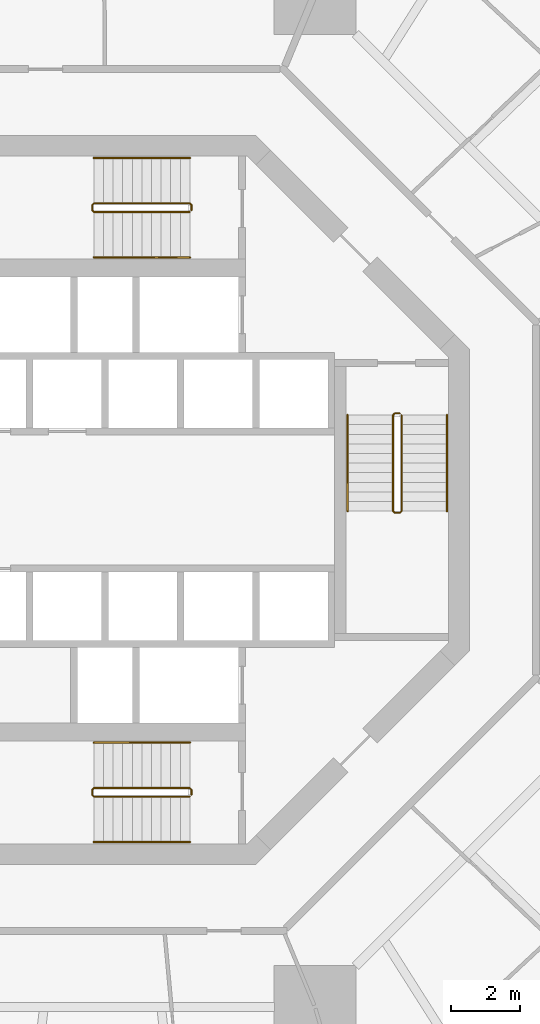
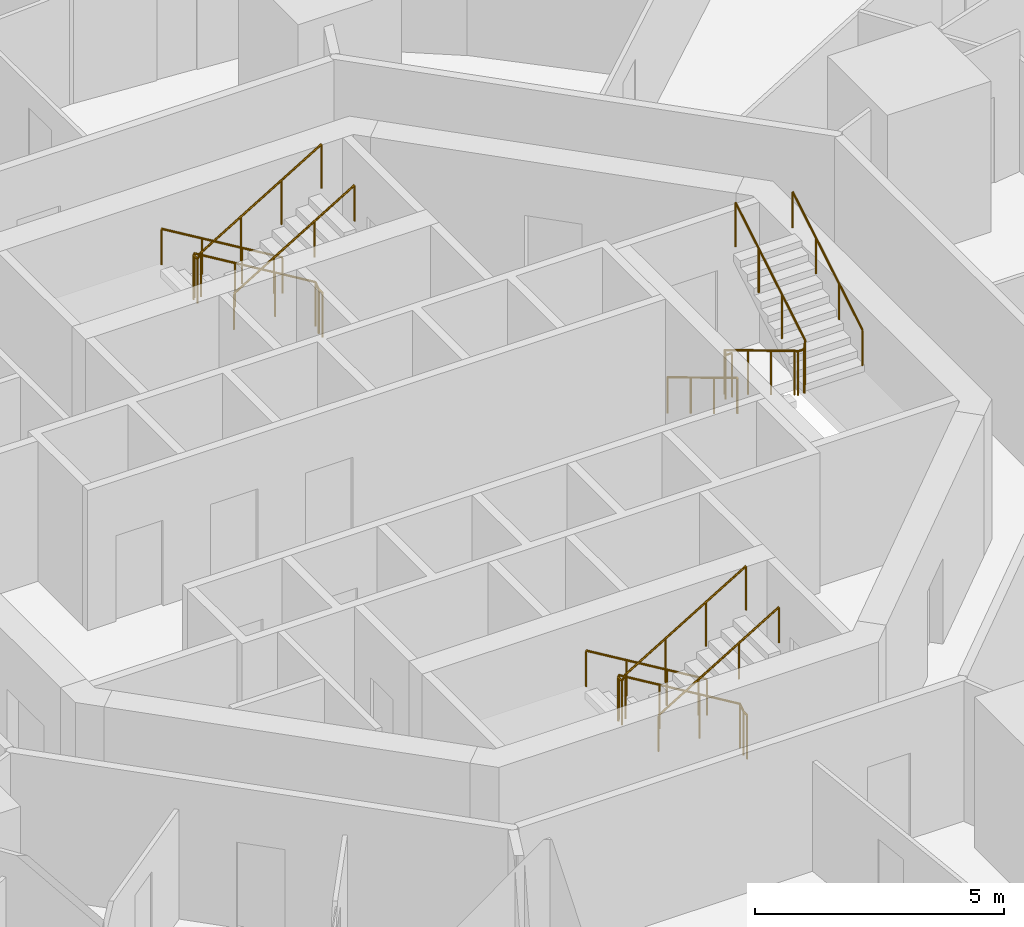
# One storey, part 42 of 42: 9 railings.
"""IFC4 building model written with IfcOpenShell, lengths in metres."""

from ifc_helpers import new_model, si_unit, direction, frame, origin, origin_2d, place, context, subcontext, project, spatial, circle, extrude, material, type_object, element, save


model = new_model("IFC4")

# Units and contexts
model_context = context("Model", 3, precision=1e-05, world=origin(), true_north=direction((0.0, 1.0)))
body_context = subcontext(model_context, "Body", "Model", "MODEL_VIEW")
ifc_project = project(units=[si_unit("LENGTHUNIT", "METRE"), si_unit("AREAUNIT", "SQUARE_METRE"), si_unit("VOLUMEUNIT", "CUBIC_METRE"), si_unit("PLANEANGLEUNIT", "RADIAN"), si_unit("MASSUNIT", "GRAM", prefix="KILO")], contexts=[model_context])

# Site, building, storey
site_placement = place(None, origin())
site = spatial("IfcSite", under=ifc_project, at=site_placement, CompositionType="ELEMENT")
building_placement = place(site_placement, origin())
building = spatial("IfcBuilding", under=site, at=building_placement, Name="Nagisa Residences", CompositionType="ELEMENT")
storey_placement = place(building_placement, frame((0.0, 0.0, 27.0)))
storey = spatial("IfcBuildingStorey", under=building, at=storey_placement, Name="L05", CompositionType="ELEMENT", Elevation=27.0)

# Railings
ifc_material_1 = material(Name="Stainless steel", Category="steel")
railing_type_1 = type_object("IfcRailingType", Name="Stair guard 1100", PredefinedType="GUARDRAIL", material=ifc_material_1)
railing_1_placement = place(storey_placement, frame((8.599609375, 2.52490234375, 0.0)))
element("IfcRailing", 1, at=railing_1_placement, inside=storey, type_object=railing_type_1, Name="L05 ST-E stair guard 1", PredefinedType="GUARDRAIL", context=body_context, shape_type="SweptSolid", body=[
    extrude(circle(Radius=0.02392578125, at=origin_2d()), frame((0.0, 0.0, 1.076171875), z_axis=(-1.0, 0.0, 0.0), x_axis=(0.0, -1.0, 0.0)), (0.0, 0.0, 1.0), 0.14990234375),
    extrude(circle(Radius=0.02392578125, at=origin_2d()), frame((-0.14990234375, 0.0, 1.076171875), z_axis=(-0.27434429532, -0.273006030465, 0.922064485248), x_axis=(0.705375805398, -0.708833529934, 0.0)), (0.0, 0.0, 1.0), 0.182373046875),
    extrude(circle(Radius=0.02392578125, at=origin_2d()), frame((-0.199951171875, -0.0498046875, 1.244140625), z_axis=(0.0, -0.857242210791, 0.514913383045), x_axis=(1.0, 0.0, 0.0)), (0.0, 0.0, 1.0), 3.266357421875),
    extrude(circle(Radius=0.02392578125, at=origin_2d()), frame((-0.199951171875, -2.849853515625, 2.92626953125), z_axis=(0.707106781187, -0.707106781187, 0.0), x_axis=(0.707106781187, 0.707106781187, 0.0)), (0.0, 0.0, 1.0), 0.07080078125),
    extrude(circle(Radius=0.02392578125, at=origin_2d()), frame((-0.14990234375, -2.89990234375, 2.92626953125), z_axis=(1.0, 0.0, 0.0), x_axis=(0.0, 1.0, 0.0)), (0.0, 0.0, 1.0), 0.14990234375),
    extrude(circle(Radius=0.02392578125, at=origin_2d()), frame((0.0, -2.89990234375, 2.92626953125), z_axis=(0.274582412415, 0.274582412415, 0.921525364591), x_axis=(-0.707106781187, 0.707106781187, 0.0)), (0.0, 0.0, 1.0), 0.182373046875),
    extrude(circle(Radius=0.02392578125, at=origin_2d()), frame((0.050048828125, -2.849853515625, 3.09423828125), z_axis=(0.0, 0.857242210791, 0.514913383045), x_axis=(-1.0, 0.0, 0.0)), (0.0, 0.0, 1.0), 3.266357421875),
    extrude(circle(Radius=0.02099609375, at=origin_2d()), origin(), (0.0, 0.0, 1.0), 1.052001953125),
    extrude(circle(Radius=0.02099609375, at=origin_2d()), frame((-0.14990234375, 0.0, 0.0)), (0.0, 0.0, 1.0), 1.052001953125),
    extrude(circle(Radius=0.02099609375, at=origin_2d()), frame((-0.199951171875, -0.0498046875, 0.168212890625)), (0.0, 0.0, 1.0), 1.052001953125),
    extrude(circle(Radius=0.02099609375, at=origin_2d()), frame((-0.199951171875, -0.983154296875, 0.728759765625)), (0.0, 0.0, 1.0), 1.052001953125),
    extrude(circle(Radius=0.02099609375, at=origin_2d()), frame((-0.199951171875, -1.91650390625, 1.28955078125)), (0.0, 0.0, 1.0), 1.052001953125),
    extrude(circle(Radius=0.02099609375, at=origin_2d()), frame((-0.199951171875, -2.849853515625, 1.85009765625)), (0.0, 0.0, 1.0), 1.052001953125),
    extrude(circle(Radius=0.02099609375, at=origin_2d()), frame((-0.14990234375, -2.89990234375, 1.85009765625)), (0.0, 0.0, 1.0), 1.052001953125),
    extrude(circle(Radius=0.02099609375, at=origin_2d()), frame((0.0, -2.89990234375, 1.85009765625)), (0.0, 0.0, 1.0), 1.052001953125),
    extrude(circle(Radius=0.02099609375, at=origin_2d()), frame((0.050048828125, -2.849853515625, 2.01806640625)), (0.0, 0.0, 1.0), 1.052001953125),
    extrude(circle(Radius=0.02099609375, at=origin_2d()), frame((0.050048828125, -1.91650390625, 2.57861328125)), (0.0, 0.0, 1.0), 1.052001953125),
    extrude(circle(Radius=0.02099609375, at=origin_2d()), frame((0.050048828125, -0.983154296875, 3.139404296875)), (0.0, 0.0, 1.0), 1.052001953125),
    extrude(circle(Radius=0.02099609375, at=origin_2d()), frame((0.050048828125, -0.0498046875, 3.699951171875)), (0.0, 0.0, 1.0), 1.052001953125),
])
railing_2_placement = place(storey_placement, frame((2.52490234375, 8.44970703125, 0.0)))
element("IfcRailing", 2, at=railing_2_placement, inside=storey, type_object=railing_type_1, Name="L05 ST-N stair guard 1", PredefinedType="GUARDRAIL", context=body_context, shape_type="SweptSolid", body=[
    extrude(circle(Radius=0.02392578125, at=origin_2d()), frame((0.0, 0.0, 1.076171875), z_axis=(0.0, 1.0, 0.0), x_axis=(-1.0, 0.0, 0.0)), (0.0, 0.0, 1.0), 0.14990234375),
    extrude(circle(Radius=0.02392578125, at=origin_2d()), frame((0.0, 0.14990234375, 1.076171875), z_axis=(-0.273006030465, 0.27434429532, 0.922064485248), x_axis=(-0.708833529934, -0.705375805398, 0.0)), (0.0, 0.0, 1.0), 0.182373046875),
    extrude(circle(Radius=0.02392578125, at=origin_2d()), frame((-0.0498046875, 0.199951171875, 1.244140625), z_axis=(-0.857242210791, 0.0, 0.514913383045), x_axis=(0.0, -1.0, 0.0)), (0.0, 0.0, 1.0), 3.266357421875),
    extrude(circle(Radius=0.02392578125, at=origin_2d()), frame((-2.849853515625, 0.199951171875, 2.92626953125), z_axis=(-0.707106781187, -0.707106781187, 0.0), x_axis=(0.707106781187, -0.707106781187, 0.0)), (0.0, 0.0, 1.0), 0.07080078125),
    extrude(circle(Radius=0.02392578125, at=origin_2d()), frame((-2.89990234375, 0.14990234375, 2.92626953125), z_axis=(0.0, -1.0, 0.0), x_axis=(1.0, 0.0, 0.0)), (0.0, 0.0, 1.0), 0.14990234375),
    extrude(circle(Radius=0.02392578125, at=origin_2d()), frame((-2.89990234375, 0.0, 2.92626953125), z_axis=(0.274582412415, -0.274582412415, 0.921525364591), x_axis=(0.707106781187, 0.707106781187, 0.0)), (0.0, 0.0, 1.0), 0.182373046875),
    extrude(circle(Radius=0.02392578125, at=origin_2d()), frame((-2.849853515625, -0.050048828125, 3.09423828125), z_axis=(0.857242210791, 0.0, 0.514913383045), x_axis=(0.0, 1.0, 0.0)), (0.0, 0.0, 1.0), 3.266357421875),
    extrude(circle(Radius=0.02099609375, at=origin_2d()), origin(), (0.0, 0.0, 1.0), 1.052001953125),
    extrude(circle(Radius=0.02099609375, at=origin_2d()), frame((0.0, 0.14990234375, 0.0)), (0.0, 0.0, 1.0), 1.052001953125),
    extrude(circle(Radius=0.02099609375, at=origin_2d()), frame((-0.0498046875, 0.199951171875, 0.168212890625)), (0.0, 0.0, 1.0), 1.052001953125),
    extrude(circle(Radius=0.02099609375, at=origin_2d()), frame((-0.983154296875, 0.199951171875, 0.728759765625)), (0.0, 0.0, 1.0), 1.052001953125),
    extrude(circle(Radius=0.02099609375, at=origin_2d()), frame((-1.91650390625, 0.199951171875, 1.28955078125)), (0.0, 0.0, 1.0), 1.052001953125),
    extrude(circle(Radius=0.02099609375, at=origin_2d()), frame((-2.849853515625, 0.199951171875, 1.85009765625)), (0.0, 0.0, 1.0), 1.052001953125),
    extrude(circle(Radius=0.02099609375, at=origin_2d()), frame((-2.89990234375, 0.14990234375, 1.85009765625)), (0.0, 0.0, 1.0), 1.052001953125),
    extrude(circle(Radius=0.02099609375, at=origin_2d()), frame((-2.89990234375, 0.0, 1.85009765625)), (0.0, 0.0, 1.0), 1.052001953125),
    extrude(circle(Radius=0.02099609375, at=origin_2d()), frame((-2.849853515625, -0.050048828125, 2.01806640625)), (0.0, 0.0, 1.0), 1.052001953125),
    extrude(circle(Radius=0.02099609375, at=origin_2d()), frame((-1.91650390625, -0.050048828125, 2.57861328125)), (0.0, 0.0, 1.0), 1.052001953125),
    extrude(circle(Radius=0.02099609375, at=origin_2d()), frame((-0.983154296875, -0.050048828125, 3.139404296875)), (0.0, 0.0, 1.0), 1.052001953125),
    extrude(circle(Radius=0.02099609375, at=origin_2d()), frame((-0.0498046875, -0.050048828125, 3.699951171875)), (0.0, 0.0, 1.0), 1.052001953125),
])
railing_3_placement = place(storey_placement, frame((2.52490234375, -8.599609375, 0.0)))
element("IfcRailing", 3, at=railing_3_placement, inside=storey, type_object=railing_type_1, Name="L05 ST-S stair guard 1", PredefinedType="GUARDRAIL", context=body_context, shape_type="SweptSolid", body=[
    extrude(circle(Radius=0.02392578125, at=origin_2d()), frame((0.0, 0.0, 1.076171875), z_axis=(0.0, 1.0, 0.0), x_axis=(-1.0, 0.0, 0.0)), (0.0, 0.0, 1.0), 0.14990234375),
    extrude(circle(Radius=0.02392578125, at=origin_2d()), frame((0.0, 0.14990234375, 1.076171875), z_axis=(-0.273006030465, 0.27434429532, 0.922064485248), x_axis=(-0.708833529934, -0.705375805398, 0.0)), (0.0, 0.0, 1.0), 0.182373046875),
    extrude(circle(Radius=0.02392578125, at=origin_2d()), frame((-0.0498046875, 0.199951171875, 1.244140625), z_axis=(-0.857242210791, 0.0, 0.514913383045), x_axis=(0.0, -1.0, 0.0)), (0.0, 0.0, 1.0), 3.266357421875),
    extrude(circle(Radius=0.02392578125, at=origin_2d()), frame((-2.849853515625, 0.199951171875, 2.92626953125), z_axis=(-0.707106781187, -0.707106781187, 0.0), x_axis=(0.707106781187, -0.707106781187, 0.0)), (0.0, 0.0, 1.0), 0.07080078125),
    extrude(circle(Radius=0.02392578125, at=origin_2d()), frame((-2.89990234375, 0.14990234375, 2.92626953125), z_axis=(0.0, -1.0, 0.0), x_axis=(1.0, 0.0, 0.0)), (0.0, 0.0, 1.0), 0.14990234375),
    extrude(circle(Radius=0.02392578125, at=origin_2d()), frame((-2.89990234375, 0.0, 2.92626953125), z_axis=(0.274582412415, -0.274582412415, 0.921525364591), x_axis=(0.707106781187, 0.707106781187, 0.0)), (0.0, 0.0, 1.0), 0.182373046875),
    extrude(circle(Radius=0.02392578125, at=origin_2d()), frame((-2.849853515625, -0.050048828125, 3.09423828125), z_axis=(0.857242210791, 0.0, 0.514913383045), x_axis=(0.0, 1.0, 0.0)), (0.0, 0.0, 1.0), 3.266357421875),
    extrude(circle(Radius=0.02099609375, at=origin_2d()), origin(), (0.0, 0.0, 1.0), 1.052001953125),
    extrude(circle(Radius=0.02099609375, at=origin_2d()), frame((0.0, 0.14990234375, 0.0)), (0.0, 0.0, 1.0), 1.052001953125),
    extrude(circle(Radius=0.02099609375, at=origin_2d()), frame((-0.0498046875, 0.199951171875, 0.168212890625)), (0.0, 0.0, 1.0), 1.052001953125),
    extrude(circle(Radius=0.02099609375, at=origin_2d()), frame((-0.983154296875, 0.199951171875, 0.728759765625)), (0.0, 0.0, 1.0), 1.052001953125),
    extrude(circle(Radius=0.02099609375, at=origin_2d()), frame((-1.91650390625, 0.199951171875, 1.28955078125)), (0.0, 0.0, 1.0), 1.052001953125),
    extrude(circle(Radius=0.02099609375, at=origin_2d()), frame((-2.849853515625, 0.199951171875, 1.85009765625)), (0.0, 0.0, 1.0), 1.052001953125),
    extrude(circle(Radius=0.02099609375, at=origin_2d()), frame((-2.89990234375, 0.14990234375, 1.85009765625)), (0.0, 0.0, 1.0), 1.052001953125),
    extrude(circle(Radius=0.02099609375, at=origin_2d()), frame((-2.89990234375, 0.0, 1.85009765625)), (0.0, 0.0, 1.0), 1.052001953125),
    extrude(circle(Radius=0.02099609375, at=origin_2d()), frame((-2.849853515625, -0.050048828125, 2.01806640625)), (0.0, 0.0, 1.0), 1.052001953125),
    extrude(circle(Radius=0.02099609375, at=origin_2d()), frame((-1.91650390625, -0.050048828125, 2.57861328125)), (0.0, 0.0, 1.0), 1.052001953125),
    extrude(circle(Radius=0.02099609375, at=origin_2d()), frame((-0.983154296875, -0.050048828125, 3.139404296875)), (0.0, 0.0, 1.0), 1.052001953125),
    extrude(circle(Radius=0.02099609375, at=origin_2d()), frame((-0.0498046875, -0.050048828125, 3.699951171875)), (0.0, 0.0, 1.0), 1.052001953125),
])
ifc_material_2 = material(Name="Stainless steel", Category="steel")
railing_type_2 = type_object("IfcRailingType", Name="Stair handrail 900", PredefinedType="HANDRAIL", material=ifc_material_2)
railing_4_placement = place(storey_placement, frame((7.07470703125, 2.47509765625, 0.168212890625)))
element("IfcRailing", 4, at=railing_4_placement, inside=storey, type_object=railing_type_2, Name="L05 ST-E stair handrail 1", PredefinedType="HANDRAIL", context=body_context, shape_type="SweptSolid", body=[
    extrude(circle(Radius=0.02392578125, at=origin_2d()), frame((0.0, 0.0, 0.8759765625), z_axis=(0.0, -0.857242210791, 0.514913383045), x_axis=(1.0, 0.0, 0.0)), (0.0, 0.0, 1.0), 3.266357421875),
    extrude(circle(Radius=0.02099609375, at=origin_2d()), origin(), (0.0, 0.0, 1.0), 0.851806640625),
    extrude(circle(Radius=0.02099609375, at=origin_2d()), frame((0.0, -0.933349609375, 0.560546875)), (0.0, 0.0, 1.0), 0.851806640625),
    extrude(circle(Radius=0.02099609375, at=origin_2d()), frame((0.0, -1.86669921875, 1.121337890625)), (0.0, 0.0, 1.0), 0.851806640625),
    extrude(circle(Radius=0.02099609375, at=origin_2d()), frame((0.0, -2.800048828125, 1.681884765625)), (0.0, 0.0, 1.0), 0.851806640625),
])
railing_5_placement = place(storey_placement, frame((9.974609375, -0.324951171875, 2.01806640625)))
element("IfcRailing", 5, at=railing_5_placement, inside=storey, type_object=railing_type_2, Name="L05 ST-E stair handrail 2", PredefinedType="HANDRAIL", context=body_context, shape_type="SweptSolid", body=[
    extrude(circle(Radius=0.02392578125, at=origin_2d()), frame((0.0, 0.0, 0.8759765625), z_axis=(0.0, 0.857242210791, 0.514913383045), x_axis=(-1.0, 0.0, 0.0)), (0.0, 0.0, 1.0), 3.266357421875),
    extrude(circle(Radius=0.02099609375, at=origin_2d()), origin(), (0.0, 0.0, 1.0), 0.851806640625),
    extrude(circle(Radius=0.02099609375, at=origin_2d()), frame((0.0, 0.933349609375, 0.560546875)), (0.0, 0.0, 1.0), 0.851806640625),
    extrude(circle(Radius=0.02099609375, at=origin_2d()), frame((0.0, 1.86669921875, 1.121337890625)), (0.0, 0.0, 1.0), 0.851806640625),
    extrude(circle(Radius=0.02099609375, at=origin_2d()), frame((0.0, 2.800048828125, 1.681884765625)), (0.0, 0.0, 1.0), 0.851806640625),
])
railing_6_placement = place(storey_placement, frame((2.47509765625, 9.974609375, 0.168212890625)))
element("IfcRailing", 6, at=railing_6_placement, inside=storey, type_object=railing_type_2, Name="L05 ST-N stair handrail 1", PredefinedType="HANDRAIL", context=body_context, shape_type="SweptSolid", body=[
    extrude(circle(Radius=0.02392578125, at=origin_2d()), frame((0.0, 0.0, 0.8759765625), z_axis=(-0.857242210791, 0.0, 0.514913383045), x_axis=(0.0, -1.0, 0.0)), (0.0, 0.0, 1.0), 3.266357421875),
    extrude(circle(Radius=0.02099609375, at=origin_2d()), origin(), (0.0, 0.0, 1.0), 0.851806640625),
    extrude(circle(Radius=0.02099609375, at=origin_2d()), frame((-0.933349609375, 0.0, 0.560546875)), (0.0, 0.0, 1.0), 0.851806640625),
    extrude(circle(Radius=0.02099609375, at=origin_2d()), frame((-1.86669921875, 0.0, 1.121337890625)), (0.0, 0.0, 1.0), 0.851806640625),
    extrude(circle(Radius=0.02099609375, at=origin_2d()), frame((-2.800048828125, 0.0, 1.681884765625)), (0.0, 0.0, 1.0), 0.851806640625),
])
railing_7_placement = place(storey_placement, frame((-0.324951171875, 7.07470703125, 2.01806640625)))
element("IfcRailing", 7, at=railing_7_placement, inside=storey, type_object=railing_type_2, Name="L05 ST-N stair handrail 2", PredefinedType="HANDRAIL", context=body_context, shape_type="SweptSolid", body=[
    extrude(circle(Radius=0.02392578125, at=origin_2d()), frame((0.0, 0.0, 0.8759765625), z_axis=(0.857242210791, 0.0, 0.514913383045), x_axis=(0.0, 1.0, 0.0)), (0.0, 0.0, 1.0), 3.266357421875),
    extrude(circle(Radius=0.02099609375, at=origin_2d()), origin(), (0.0, 0.0, 1.0), 0.851806640625),
    extrude(circle(Radius=0.02099609375, at=origin_2d()), frame((0.933349609375, 0.0, 0.560546875)), (0.0, 0.0, 1.0), 0.851806640625),
    extrude(circle(Radius=0.02099609375, at=origin_2d()), frame((1.86669921875, 0.0, 1.121337890625)), (0.0, 0.0, 1.0), 0.851806640625),
    extrude(circle(Radius=0.02099609375, at=origin_2d()), frame((2.800048828125, 0.0, 1.681884765625)), (0.0, 0.0, 1.0), 0.851806640625),
])
railing_8_placement = place(storey_placement, frame((2.47509765625, -7.07470703125, 0.168212890625)))
element("IfcRailing", 8, at=railing_8_placement, inside=storey, type_object=railing_type_2, Name="L05 ST-S stair handrail 1", PredefinedType="HANDRAIL", context=body_context, shape_type="SweptSolid", body=[
    extrude(circle(Radius=0.02392578125, at=origin_2d()), frame((0.0, 0.0, 0.8759765625), z_axis=(-0.857242210791, 0.0, 0.514913383045), x_axis=(0.0, -1.0, 0.0)), (0.0, 0.0, 1.0), 3.266357421875),
    extrude(circle(Radius=0.02099609375, at=origin_2d()), origin(), (0.0, 0.0, 1.0), 0.851806640625),
    extrude(circle(Radius=0.02099609375, at=origin_2d()), frame((-0.933349609375, 0.0, 0.560546875)), (0.0, 0.0, 1.0), 0.851806640625),
    extrude(circle(Radius=0.02099609375, at=origin_2d()), frame((-1.86669921875, 0.0, 1.121337890625)), (0.0, 0.0, 1.0), 0.851806640625),
    extrude(circle(Radius=0.02099609375, at=origin_2d()), frame((-2.800048828125, 0.0, 1.681884765625)), (0.0, 0.0, 1.0), 0.851806640625),
])
railing_9_placement = place(storey_placement, frame((-0.324951171875, -9.974609375, 2.01806640625)))
element("IfcRailing", 9, at=railing_9_placement, inside=storey, type_object=railing_type_2, Name="L05 ST-S stair handrail 2", PredefinedType="HANDRAIL", context=body_context, shape_type="SweptSolid", body=[
    extrude(circle(Radius=0.02392578125, at=origin_2d()), frame((0.0, 0.0, 0.8759765625), z_axis=(0.857242210791, 0.0, 0.514913383045), x_axis=(0.0, 1.0, 0.0)), (0.0, 0.0, 1.0), 3.266357421875),
    extrude(circle(Radius=0.02099609375, at=origin_2d()), origin(), (0.0, 0.0, 1.0), 0.851806640625),
    extrude(circle(Radius=0.02099609375, at=origin_2d()), frame((0.933349609375, 0.0, 0.560546875)), (0.0, 0.0, 1.0), 0.851806640625),
    extrude(circle(Radius=0.02099609375, at=origin_2d()), frame((1.86669921875, 0.0, 1.121337890625)), (0.0, 0.0, 1.0), 0.851806640625),
    extrude(circle(Radius=0.02099609375, at=origin_2d()), frame((2.800048828125, 0.0, 1.681884765625)), (0.0, 0.0, 1.0), 0.851806640625),
])

save(model, "model.ifc")
